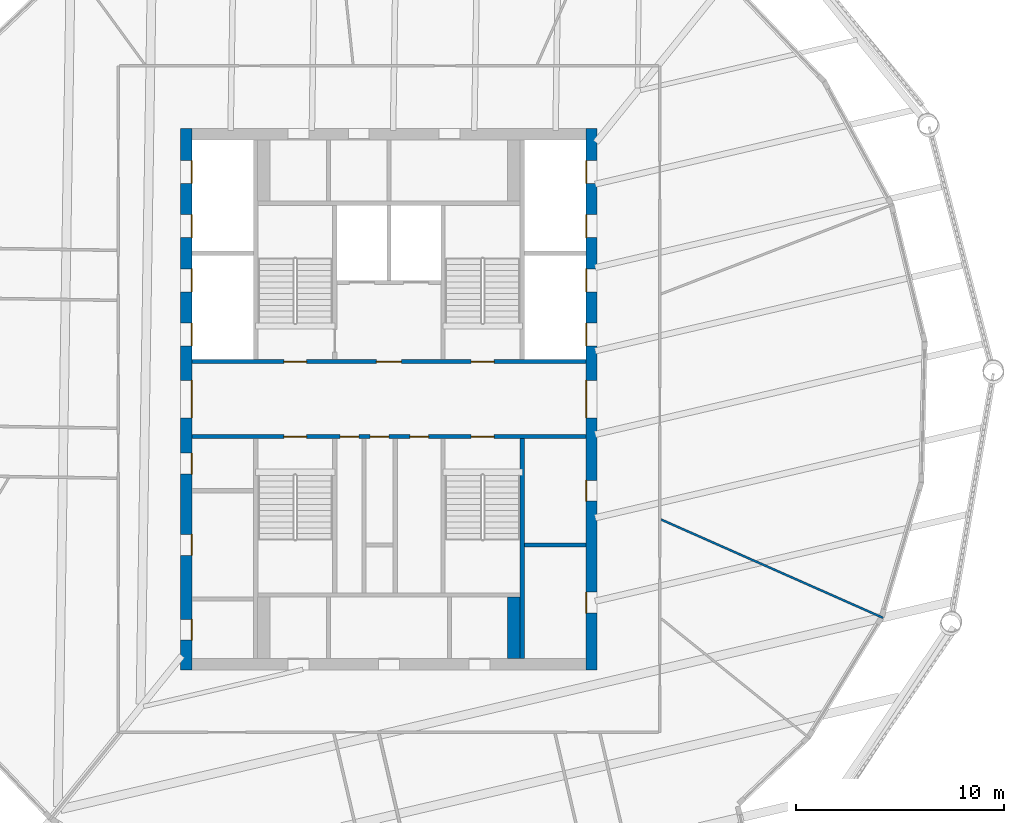
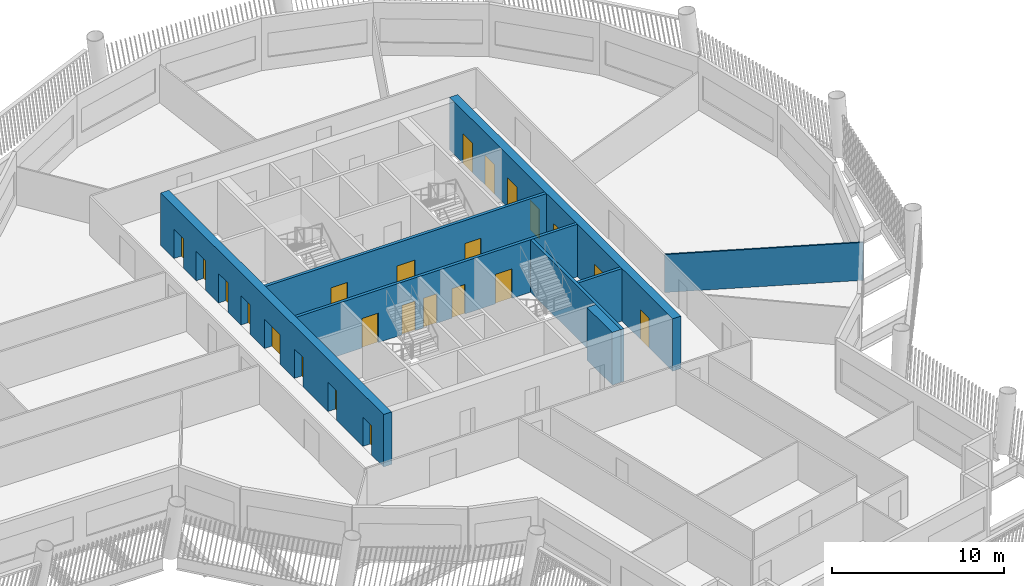
# One storey, part 5 of 15: 23 doors, 8 walls, 23 openings.
"""IFC4 building model written with IfcOpenShell, lengths in metres."""

import ifcopenshell
import ifcopenshell.guid

model = None  # the IFC model being written
_history = None  # IfcOwnerHistory: only IFC2X3 demands one
_inside = {}  # id of a spatial element -> (the spatial element, [elements in it])
_under = {}  # id of a project, library or spatial element -> (it, [spatial elements below it])
_declared = {}  # id of a project -> (the project, [libraries it declares])
_typed = {}  # id of a type object -> (the type object, [elements of that type])
_made_of = {}  # id of a material, layer set ... -> (it, [elements and type objects made of it])


def new_model(schema):
    """Start an empty IFC model of exactly this schema.

    Asked for "IFC4X3", IfcOpenShell would pick the latest addendum, in which some entities
    have other attributes; the version numbers below select the first issue.
    IFC2X3 requires an IfcOwnerHistory on every rooted entity: one is made here for all.
    """
    global model, _history
    if schema == "IFC4X3":
        model = ifcopenshell.file(schema_version=(4, 3, 0, 0))
    else:
        model = ifcopenshell.file(schema=schema)
    _inside.clear()
    _under.clear()
    _declared.clear()
    _typed.clear()
    _made_of.clear()
    _history = None
    if model.schema == "IFC2X3":
        org = make("IfcOrganization", Name="unknown")
        user = make(
            "IfcPersonAndOrganization",
            ThePerson=make("IfcPerson", FamilyName="unknown"),
            TheOrganization=org,
        )
        app = make(
            "IfcApplication",
            ApplicationDeveloper=org,
            Version="unknown",
            ApplicationFullName="unknown",
            ApplicationIdentifier="unknown",
        )
        _history = make(
            "IfcOwnerHistory",
            OwningUser=user,
            OwningApplication=app,
            ChangeAction="ADDED",
            CreationDate=0,
        )
    return model


def make(cls, **values):
    """One entity of the class cls with the attributes given. An attribute that is None is left unset."""
    return model.create_entity(
        cls, **{name: value for name, value in values.items() if value is not None}
    )


def rooted(cls, **values):
    """An entity with a GlobalId (a new one), such as an element, a storey or a relation."""
    return make(cls, GlobalId=ifcopenshell.guid.new(), OwnerHistory=_history, **values)


def si_unit(unit_type, name, prefix=None):
    """IfcSIUnit, for example si_unit("LENGTHUNIT", "METRE", prefix="MILLI")."""
    return make("IfcSIUnit", UnitType=unit_type, Prefix=prefix, Name=name)


def assignment(units):
    """IfcUnitAssignment: the units of a project."""
    return None if units is None else make("IfcUnitAssignment", Units=units)


def point(xyz):
    """IfcCartesianPoint."""
    return None if xyz is None else make("IfcCartesianPoint", Coordinates=xyz)


def direction(xyz):
    """IfcDirection."""
    return None if xyz is None else make("IfcDirection", DirectionRatios=xyz)


def frame(location, z_axis=None, x_axis=None):
    """IfcAxis2Placement3D, a coordinate frame: its origin and axes. An axis left out is left unset."""
    return make(
        "IfcAxis2Placement3D",
        Location=point(location),
        Axis=direction(z_axis),
        RefDirection=direction(x_axis),
    )


def frame_2d(location, x_axis=None):
    """IfcAxis2Placement2D, a coordinate frame in the plane: its origin and x axis."""
    return make(
        "IfcAxis2Placement2D", Location=point(location), RefDirection=direction(x_axis)
    )


def origin():
    """The frame at (0, 0, 0) with its axes left unset."""
    return frame((0.0, 0.0, 0.0))


def place(relative_to, where):
    """IfcLocalPlacement: puts the frame where relative to a parent placement (None: the world)."""
    return make(
        "IfcLocalPlacement", PlacementRelTo=relative_to, RelativePlacement=where
    )


def context(
    kind, dimensions, precision=None, world=None, true_north=None, identifier=None
):
    """IfcGeometricRepresentationContext, for example the 3D "Model" context."""
    return make(
        "IfcGeometricRepresentationContext",
        ContextIdentifier=identifier,
        ContextType=kind,
        CoordinateSpaceDimension=dimensions,
        Precision=precision,
        WorldCoordinateSystem=world,
        TrueNorth=true_north,
    )


def subcontext(parent, identifier, kind, view, scale=None):
    """IfcGeometricRepresentationSubContext, for example "Body" below "Model"."""
    return make(
        "IfcGeometricRepresentationSubContext",
        ContextIdentifier=identifier,
        ContextType=kind,
        ParentContext=parent,
        TargetScale=scale,
        TargetView=view,
    )


def project(units=None, contexts=None):
    """IfcProject with its units and contexts."""
    return rooted(
        "IfcProject",
        Name="project",
        RepresentationContexts=contexts,
        UnitsInContext=assignment(units),
    )


def spatial(cls, under=None, at=None, **own):
    """A site, building, storey or space (cls), placed at a placement, below another one or the project."""
    s = rooted(cls, ObjectPlacement=at, **own)
    if under is not None:
        _under.setdefault(under.id(), (under, []))[1].append(s)
    return s


def profile(cls, at=None, kind="AREA", **sizes):
    """A parametric profile (cls). Its sizes go by their IFC names, for example OverallWidth=200.0."""
    return make(cls, ProfileType=kind, Position=at, **sizes)


def rectangle(**sizes):
    """IfcRectangleProfileDef."""
    return profile("IfcRectangleProfileDef", **sizes)


def extrude(swept, where, along, depth):
    """IfcExtrudedAreaSolid: the profile swept, set in the frame where, extruded along a direction by depth."""
    return make(
        "IfcExtrudedAreaSolid",
        SweptArea=swept,
        Position=where,
        ExtrudedDirection=direction(along),
        Depth=depth,
    )


def shape(context_of_items, identifier, shape_type, items):
    """IfcShapeRepresentation: the items that make up one representation, for example the "Body"."""
    return make(
        "IfcShapeRepresentation",
        ContextOfItems=context_of_items,
        RepresentationIdentifier=identifier,
        RepresentationType=shape_type,
        Items=items,
    )


def material(Name=None, Category=None):
    """IfcMaterial."""
    return make("IfcMaterial", Name=Name, Category=Category)


def layer(
    of_material, thickness, ventilated=None, Name=None, Category=None, Priority=None
):
    """IfcMaterialLayer: one layer of a wall or slab, of a material (None: an air gap)."""
    return make(
        "IfcMaterialLayer",
        Material=of_material,
        LayerThickness=thickness,
        IsVentilated=ventilated,
        Name=Name,
        Category=Category,
        Priority=Priority,
    )


def layer_set(layers, Name=None):
    """IfcMaterialLayerSet."""
    return make("IfcMaterialLayerSet", MaterialLayers=layers, LayerSetName=Name)


def made_of(thing, what):
    """Note that an element or type object is made of a material, layer set ...; save() writes the relation."""
    if what is not None:
        _made_of.setdefault(what.id(), (what, []))[1].append(thing)
    return thing


def type_object(cls, material=None, **own):
    """A type object (cls), such as IfcWallType, which elements share."""
    return made_of(rooted(cls, **own), material)


def element(
    cls,
    number,
    at=None,
    inside=None,
    cuts=None,
    type_object=None,
    material=None,
    context=None,
    identifier="Body",
    shape_type=None,
    held_by="IfcProductDefinitionShape",
    body=None,
    shapes=None,
    **own,
):
    """One element of the class cls, such as IfcWall. Its Tag is "e" and its number.

    at: its placement. inside: the storey or other place that contains it. cuts: it is an
    opening in that element (IfcRelVoidsElement). A single representation is given by context,
    identifier, shape_type and body (its items); several are given by shapes. held_by: the class
    of the entity that holds the representations. save() writes the other relations.
    """
    e = rooted(cls, Tag="e%d" % number, ObjectPlacement=at, **own)
    if body is not None:
        shapes = [shape(context, identifier, shape_type, body)]
    if shapes is not None:
        e.Representation = make(held_by, Representations=shapes)
    if inside is not None:
        _inside.setdefault(inside.id(), (inside, []))[1].append(e)
    if cuts is not None:
        rooted(
            "IfcRelVoidsElement", RelatingBuildingElement=cuts, RelatedOpeningElement=e
        )
    if type_object is not None:
        _typed.setdefault(type_object.id(), (type_object, []))[1].append(e)
    return made_of(e, material)


def fill(opening, filler):
    """IfcRelFillsElement: the door or window that sits in an opening."""
    return rooted(
        "IfcRelFillsElement",
        RelatingOpeningElement=opening,
        RelatedBuildingElement=filler,
    )


def aggregate(whole, parts):
    """IfcRelAggregates: a whole, such as a stair, and the parts it consists of."""
    return rooted("IfcRelAggregates", RelatingObject=whole, RelatedObjects=parts)


def save(model, path):
    """Write the relations noted so far, then the file.

    IfcRelAggregates (storeys below a building ...), IfcRelContainedInSpatialStructure (elements
    in a storey), IfcRelDefinesByType, IfcRelAssociatesMaterial and IfcRelDeclares: one each for
    every whole, place, type object, material and project.
    """
    for whole, parts in _under.values():
        aggregate(whole, parts)
    for where, things in _inside.values():
        rooted(
            "IfcRelContainedInSpatialStructure",
            RelatedElements=things,
            RelatingStructure=where,
        )
    for kind, things in _typed.values():
        rooted("IfcRelDefinesByType", RelatedObjects=things, RelatingType=kind)
    for what, things in _made_of.values():
        rooted("IfcRelAssociatesMaterial", RelatedObjects=things, RelatingMaterial=what)
    for by, libraries in _declared.values():
        rooted("IfcRelDeclares", RelatingContext=by, RelatedDefinitions=libraries)
    model.write(path)


model = new_model("IFC4")

# Units and contexts
model_context = context("Model", 3, precision=1e-05, world=origin(), true_north=direction((0.0, 1.0)))
body_context = subcontext(model_context, "Body", "Model", "MODEL_VIEW")
ifc_project = project(units=[si_unit("LENGTHUNIT", "METRE"), si_unit("AREAUNIT", "SQUARE_METRE"), si_unit("VOLUMEUNIT", "CUBIC_METRE"), si_unit("PLANEANGLEUNIT", "RADIAN"), si_unit("MASSUNIT", "GRAM", prefix="KILO")], contexts=[model_context])

# Site, building, storey
site_placement = place(None, origin())
site = spatial("IfcSite", under=ifc_project, at=site_placement, CompositionType="ELEMENT")
building_placement = place(site_placement, origin())
building = spatial("IfcBuilding", under=site, at=building_placement, Name="Tarsis Ring Headquarters", CompositionType="ELEMENT")
storey_placement = place(building_placement, frame((0.0, 0.0, 282.5)))
storey = spatial("IfcBuildingStorey", under=building, at=storey_placement, Name="L66", CompositionType="ELEMENT", Elevation=282.5)

# Wall
ifc_material_1 = material(Name="Blockwork", Category="masonry")
ifc_layer_1 = layer(ifc_material_1, 0.199951171875)
ifc_layer_set_1 = layer_set([ifc_layer_1], Name="Core blockwork wall 200")
wall_type_1 = type_object("IfcWallType", Name="Core blockwork wall 200", PredefinedType="PARTITIONING", material=ifc_layer_set_1)
wall_1_placement = place(storey_placement, frame((6.5, -7.0, 0.0), z_axis=(0.0, 0.0, 1.0), x_axis=(1.0, 0.0, 0.0)))
element("IfcWall", 1, at=wall_1_placement, inside=storey, type_object=wall_type_1, Name="Core partition ED2", PredefinedType="PARTITIONING", context=body_context, shape_type="SweptSolid", body=[
    extrude(rectangle(XDim=2.949951171875, YDim=0.199951171875, at=frame_2d((1.47509765625, 0.0))), origin(), (0.0, 0.0, 1.0), 3.739990234375),
])

# Wall, openings, doors
ifc_material_2 = material(Name="Concrete C50/60", Category="concrete")
ifc_layer_2 = layer(ifc_material_2, 0.550048828125)
ifc_layer_set_2 = layer_set([ifc_layer_2], Name="Core wall 550 C50/60")
wall_type_2 = type_object("IfcWallType", Name="Core wall 550 C50/60", PredefinedType="SHEAR", material=ifc_layer_set_2)
wall_2_placement = place(storey_placement, frame((-9.72509765625, -13.0, 0.0), z_axis=(0.0, 0.0, 1.0), x_axis=(0.0, 1.0, 0.0)))
wall_2 = element("IfcWall", 2, at=wall_2_placement, inside=storey, type_object=wall_type_2, Name="Core wall OW", PredefinedType="SHEAR", context=body_context, shape_type="SweptSolid", body=[
    extrude(rectangle(XDim=26.0, YDim=0.550048828125, at=frame_2d((13.0, 0.0))), origin(), (0.0, 0.0, 1.0), 3.739990234375),
])
opening_1_placement = place(wall_2_placement, frame((1.425048828125, 0.0, 0.0)))
opening_1 = element("IfcOpeningElement", 3, at=opening_1_placement, cuts=wall_2, Name="Opening L66-C01", PredefinedType="OPENING", context=body_context, shape_type="SweptSolid", body=[
    extrude(rectangle(XDim=1.0, YDim=2.10009765625, at=frame_2d((0.5, 1.050048828125))), frame((0.0, 0.284912109375, 0.0), z_axis=(0.0, -1.0, 0.0), x_axis=(1.0, 0.0, 0.0)), (0.0, 0.0, 1.0), 0.570068359375),
])
opening_2_placement = place(wall_2_placement, frame((5.5, 0.0, 0.0)))
opening_2 = element("IfcOpeningElement", 4, at=opening_2_placement, cuts=wall_2, Name="Opening L66-C02", PredefinedType="OPENING", context=body_context, shape_type="SweptSolid", body=[
    extrude(rectangle(XDim=1.0, YDim=2.10009765625, at=frame_2d((0.5, 1.050048828125))), frame((0.0, 0.284912109375, 0.0), z_axis=(0.0, -1.0, 0.0), x_axis=(1.0, 0.0, 0.0)), (0.0, 0.0, 1.0), 0.570068359375),
])
opening_3_placement = place(wall_2_placement, frame((9.39990234375, 0.0, 0.0)))
opening_3 = element("IfcOpeningElement", 5, at=opening_3_placement, cuts=wall_2, Name="Opening L66-C03", PredefinedType="OPENING", context=body_context, shape_type="SweptSolid", body=[
    extrude(rectangle(XDim=1.0, YDim=2.10009765625, at=frame_2d((0.5, 1.050048828125))), frame((0.0, 0.284912109375, 0.0), z_axis=(0.0, -1.0, 0.0), x_axis=(1.0, 0.0, 0.0)), (0.0, 0.0, 1.0), 0.570068359375),
])
opening_4_placement = place(wall_2_placement, frame((12.10009765625, 0.0, 0.0)))
opening_4 = element("IfcOpeningElement", 6, at=opening_4_placement, cuts=wall_2, Name="Opening L66-C04", PredefinedType="OPENING", context=body_context, shape_type="SweptSolid", body=[
    extrude(rectangle(XDim=1.800048828125, YDim=2.10009765625, at=frame_2d((0.89990234375, 1.050048828125))), frame((0.0, 0.284912109375, 0.0), z_axis=(0.0, -1.0, 0.0), x_axis=(1.0, 0.0, 0.0)), (0.0, 0.0, 1.0), 0.570068359375),
])
opening_5_placement = place(wall_2_placement, frame((15.550048828125, 0.0, 0.0)))
opening_5 = element("IfcOpeningElement", 7, at=opening_5_placement, cuts=wall_2, Name="Opening LD-HR1", PredefinedType="OPENING", context=body_context, shape_type="SweptSolid", body=[
    extrude(rectangle(XDim=1.10009765625, YDim=2.10009765625, at=frame_2d((0.550048828125, 1.050048828125))), frame((0.0, 0.284912109375, 0.0), z_axis=(0.0, -1.0, 0.0), x_axis=(1.0, 0.0, 0.0)), (0.0, 0.0, 1.0), 0.570068359375),
])
opening_6_placement = place(wall_2_placement, frame((18.14990234375, 0.0, 0.0)))
opening_6 = element("IfcOpeningElement", 8, at=opening_6_placement, cuts=wall_2, Name="Opening LD-HR2", PredefinedType="OPENING", context=body_context, shape_type="SweptSolid", body=[
    extrude(rectangle(XDim=1.10009765625, YDim=2.10009765625, at=frame_2d((0.550048828125, 1.050048828125))), frame((0.0, 0.284912109375, 0.0), z_axis=(0.0, -1.0, 0.0), x_axis=(1.0, 0.0, 0.0)), (0.0, 0.0, 1.0), 0.570068359375),
])
opening_7_placement = place(wall_2_placement, frame((20.75, 0.0, 0.0)))
opening_7 = element("IfcOpeningElement", 9, at=opening_7_placement, cuts=wall_2, Name="Opening LD-HR3", PredefinedType="OPENING", context=body_context, shape_type="SweptSolid", body=[
    extrude(rectangle(XDim=1.10009765625, YDim=2.10009765625, at=frame_2d((0.550048828125, 1.050048828125))), frame((0.0, 0.284912109375, 0.0), z_axis=(0.0, -1.0, 0.0), x_axis=(1.0, 0.0, 0.0)), (0.0, 0.0, 1.0), 0.570068359375),
])
opening_8_placement = place(wall_2_placement, frame((23.35009765625, 0.0, 0.0)))
opening_8 = element("IfcOpeningElement", 10, at=opening_8_placement, cuts=wall_2, Name="Opening LD-HR4", PredefinedType="OPENING", context=body_context, shape_type="SweptSolid", body=[
    extrude(rectangle(XDim=1.10009765625, YDim=2.10009765625, at=frame_2d((0.550048828125, 1.050048828125))), frame((0.0, 0.284912109375, 0.0), z_axis=(0.0, -1.0, 0.0), x_axis=(1.0, 0.0, 0.0)), (0.0, 0.0, 1.0), 0.570068359375),
])
ifc_material_3 = material(Name="Steel S355", Category="steel")
door_type_1 = type_object("IfcDoorType", Name="Core entry door 1800x2100", OperationType="DOUBLE_DOOR_SINGLE_SWING", PredefinedType="DOOR", material=ifc_material_3)
door_1_placement = place(opening_4_placement, origin())
door_1 = element("IfcDoor", 11, at=door_1_placement, inside=storey, type_object=door_type_1, Name="Core entry door L66", OperationType="DOUBLE_DOOR_SINGLE_SWING", OverallHeight=2.10009765625, OverallWidth=1.800048828125, PredefinedType="DOOR", context=body_context, shape_type="SweptSolid", body=[
    extrude(rectangle(XDim=1.800048828125, YDim=2.10009765625, at=frame_2d((0.89990234375, 1.050048828125))), frame((0.0, -0.22509765625, 0.0), z_axis=(0.0, -1.0, 0.0), x_axis=(1.0, 0.0, 0.0)), (0.0, 0.0, 1.0), 0.050048828125),
])
fill(opening_4, door_1)
door_type_2 = type_object("IfcDoorType", Name="Core room door 1000x2100", OperationType="SINGLE_SWING_LEFT", PredefinedType="DOOR", material=ifc_material_3)
door_2_placement = place(opening_1_placement, origin())
door_2 = element("IfcDoor", 12, at=door_2_placement, inside=storey, type_object=door_type_2, Name="Core room door L66", OperationType="SINGLE_SWING_LEFT", OverallHeight=2.10009765625, OverallWidth=1.0, PredefinedType="DOOR", context=body_context, shape_type="SweptSolid", body=[
    extrude(rectangle(XDim=1.0, YDim=2.10009765625, at=frame_2d((0.5, 1.050048828125))), frame((0.0, -0.22509765625, 0.0), z_axis=(0.0, -1.0, 0.0), x_axis=(1.0, 0.0, 0.0)), (0.0, 0.0, 1.0), 0.050048828125),
])
fill(opening_1, door_2)
door_3_placement = place(opening_2_placement, origin())
door_3 = element("IfcDoor", 13, at=door_3_placement, inside=storey, type_object=door_type_2, Name="Core room door L66", OperationType="SINGLE_SWING_LEFT", OverallHeight=2.10009765625, OverallWidth=1.0, PredefinedType="DOOR", context=body_context, shape_type="SweptSolid", body=[
    extrude(rectangle(XDim=1.0, YDim=2.10009765625, at=frame_2d((0.5, 1.050048828125))), frame((0.0, -0.22509765625, 0.0), z_axis=(0.0, -1.0, 0.0), x_axis=(1.0, 0.0, 0.0)), (0.0, 0.0, 1.0), 0.050048828125),
])
fill(opening_2, door_3)
door_4_placement = place(opening_3_placement, origin())
door_4 = element("IfcDoor", 14, at=door_4_placement, inside=storey, type_object=door_type_2, Name="Core room door L66", OperationType="SINGLE_SWING_LEFT", OverallHeight=2.10009765625, OverallWidth=1.0, PredefinedType="DOOR", context=body_context, shape_type="SweptSolid", body=[
    extrude(rectangle(XDim=1.0, YDim=2.10009765625, at=frame_2d((0.5, 1.050048828125))), frame((0.0, -0.22509765625, 0.0), z_axis=(0.0, -1.0, 0.0), x_axis=(1.0, 0.0, 0.0)), (0.0, 0.0, 1.0), 0.050048828125),
])
fill(opening_3, door_4)
door_type_3 = type_object("IfcDoorType", Name="Landing door 1100x2100", OperationType="SLIDING_TO_LEFT", PredefinedType="DOOR", material=ifc_material_3)
door_5_placement = place(opening_5_placement, origin())
door_5 = element("IfcDoor", 15, at=door_5_placement, inside=storey, type_object=door_type_3, Name="Landing door HR1 L66", OperationType="SLIDING_TO_LEFT", OverallHeight=2.10009765625, OverallWidth=1.10009765625, PredefinedType="DOOR", context=body_context, shape_type="SweptSolid", body=[
    extrude(rectangle(XDim=1.10009765625, YDim=2.10009765625, at=frame_2d((0.550048828125, 1.050048828125))), frame((0.0, -0.22509765625, 0.0), z_axis=(0.0, -1.0, 0.0), x_axis=(1.0, 0.0, 0.0)), (0.0, 0.0, 1.0), 0.050048828125),
])
fill(opening_5, door_5)
door_6_placement = place(opening_6_placement, origin())
door_6 = element("IfcDoor", 16, at=door_6_placement, inside=storey, type_object=door_type_3, Name="Landing door HR2 L66", OperationType="SLIDING_TO_LEFT", OverallHeight=2.10009765625, OverallWidth=1.10009765625, PredefinedType="DOOR", context=body_context, shape_type="SweptSolid", body=[
    extrude(rectangle(XDim=1.10009765625, YDim=2.10009765625, at=frame_2d((0.550048828125, 1.050048828125))), frame((0.0, -0.22509765625, 0.0), z_axis=(0.0, -1.0, 0.0), x_axis=(1.0, 0.0, 0.0)), (0.0, 0.0, 1.0), 0.050048828125),
])
fill(opening_6, door_6)
door_7_placement = place(opening_7_placement, origin())
door_7 = element("IfcDoor", 17, at=door_7_placement, inside=storey, type_object=door_type_3, Name="Landing door HR3 L66", OperationType="SLIDING_TO_LEFT", OverallHeight=2.10009765625, OverallWidth=1.10009765625, PredefinedType="DOOR", context=body_context, shape_type="SweptSolid", body=[
    extrude(rectangle(XDim=1.10009765625, YDim=2.10009765625, at=frame_2d((0.550048828125, 1.050048828125))), frame((0.0, -0.22509765625, 0.0), z_axis=(0.0, -1.0, 0.0), x_axis=(1.0, 0.0, 0.0)), (0.0, 0.0, 1.0), 0.050048828125),
])
fill(opening_7, door_7)
door_8_placement = place(opening_8_placement, origin())
door_8 = element("IfcDoor", 18, at=door_8_placement, inside=storey, type_object=door_type_3, Name="Landing door HR4 L66", OperationType="SLIDING_TO_LEFT", OverallHeight=2.10009765625, OverallWidth=1.10009765625, PredefinedType="DOOR", context=body_context, shape_type="SweptSolid", body=[
    extrude(rectangle(XDim=1.10009765625, YDim=2.10009765625, at=frame_2d((0.550048828125, 1.050048828125))), frame((0.0, -0.22509765625, 0.0), z_axis=(0.0, -1.0, 0.0), x_axis=(1.0, 0.0, 0.0)), (0.0, 0.0, 1.0), 0.050048828125),
])
fill(opening_8, door_8)

wall_3_placement = place(storey_placement, frame((9.72509765625, -13.0, 0.0), z_axis=(0.0, 0.0, 1.0), x_axis=(0.0, 1.0, 0.0)))
wall_3 = element("IfcWall", 19, at=wall_3_placement, inside=storey, type_object=wall_type_2, Name="Core wall OE", PredefinedType="SHEAR", context=body_context, shape_type="SweptSolid", body=[
    extrude(rectangle(XDim=26.0, YDim=0.550048828125, at=frame_2d((13.0, 0.0))), origin(), (0.0, 0.0, 1.0), 3.739990234375),
])
opening_9_placement = place(wall_3_placement, frame((2.72509765625, 0.0, 0.0)))
opening_9 = element("IfcOpeningElement", 20, at=opening_9_placement, cuts=wall_3, Name="Opening L66-C09", PredefinedType="OPENING", context=body_context, shape_type="SweptSolid", body=[
    extrude(rectangle(XDim=1.0, YDim=2.10009765625, at=frame_2d((0.5, 1.050048828125))), frame((0.0, 0.284912109375, 0.0), z_axis=(0.0, -1.0, 0.0), x_axis=(1.0, 0.0, 0.0)), (0.0, 0.0, 1.0), 0.570068359375),
])
opening_10_placement = place(wall_3_placement, frame((8.10009765625, 0.0, 0.0)))
opening_10 = element("IfcOpeningElement", 21, at=opening_10_placement, cuts=wall_3, Name="Opening L66-C10", PredefinedType="OPENING", context=body_context, shape_type="SweptSolid", body=[
    extrude(rectangle(XDim=1.0, YDim=2.10009765625, at=frame_2d((0.5, 1.050048828125))), frame((0.0, 0.284912109375, 0.0), z_axis=(0.0, -1.0, 0.0), x_axis=(1.0, 0.0, 0.0)), (0.0, 0.0, 1.0), 0.570068359375),
])
opening_11_placement = place(wall_3_placement, frame((12.10009765625, 0.0, 0.0)))
opening_11 = element("IfcOpeningElement", 22, at=opening_11_placement, cuts=wall_3, Name="Opening L66-C11", PredefinedType="OPENING", context=body_context, shape_type="SweptSolid", body=[
    extrude(rectangle(XDim=1.800048828125, YDim=2.10009765625, at=frame_2d((0.89990234375, 1.050048828125))), frame((0.0, 0.284912109375, 0.0), z_axis=(0.0, -1.0, 0.0), x_axis=(1.0, 0.0, 0.0)), (0.0, 0.0, 1.0), 0.570068359375),
])
opening_12_placement = place(wall_3_placement, frame((15.550048828125, 0.0, 0.0)))
opening_12 = element("IfcOpeningElement", 23, at=opening_12_placement, cuts=wall_3, Name="Opening LD-HR5", PredefinedType="OPENING", context=body_context, shape_type="SweptSolid", body=[
    extrude(rectangle(XDim=1.10009765625, YDim=2.10009765625, at=frame_2d((0.550048828125, 1.050048828125))), frame((0.0, 0.284912109375, 0.0), z_axis=(0.0, -1.0, 0.0), x_axis=(1.0, 0.0, 0.0)), (0.0, 0.0, 1.0), 0.570068359375),
])
opening_13_placement = place(wall_3_placement, frame((18.14990234375, 0.0, 0.0)))
opening_13 = element("IfcOpeningElement", 24, at=opening_13_placement, cuts=wall_3, Name="Opening LD-HR6", PredefinedType="OPENING", context=body_context, shape_type="SweptSolid", body=[
    extrude(rectangle(XDim=1.10009765625, YDim=2.10009765625, at=frame_2d((0.550048828125, 1.050048828125))), frame((0.0, 0.284912109375, 0.0), z_axis=(0.0, -1.0, 0.0), x_axis=(1.0, 0.0, 0.0)), (0.0, 0.0, 1.0), 0.570068359375),
])
opening_14_placement = place(wall_3_placement, frame((20.75, 0.0, 0.0)))
opening_14 = element("IfcOpeningElement", 25, at=opening_14_placement, cuts=wall_3, Name="Opening LD-HR7", PredefinedType="OPENING", context=body_context, shape_type="SweptSolid", body=[
    extrude(rectangle(XDim=1.10009765625, YDim=2.10009765625, at=frame_2d((0.550048828125, 1.050048828125))), frame((0.0, 0.284912109375, 0.0), z_axis=(0.0, -1.0, 0.0), x_axis=(1.0, 0.0, 0.0)), (0.0, 0.0, 1.0), 0.570068359375),
])
opening_15_placement = place(wall_3_placement, frame((23.35009765625, 0.0, 0.0)))
opening_15 = element("IfcOpeningElement", 26, at=opening_15_placement, cuts=wall_3, Name="Opening LD-HR8", PredefinedType="OPENING", context=body_context, shape_type="SweptSolid", body=[
    extrude(rectangle(XDim=1.10009765625, YDim=2.10009765625, at=frame_2d((0.550048828125, 1.050048828125))), frame((0.0, 0.284912109375, 0.0), z_axis=(0.0, -1.0, 0.0), x_axis=(1.0, 0.0, 0.0)), (0.0, 0.0, 1.0), 0.570068359375),
])
door_9_placement = place(opening_11_placement, origin())
door_9 = element("IfcDoor", 27, at=door_9_placement, inside=storey, type_object=door_type_1, Name="Core entry door L66", OperationType="DOUBLE_DOOR_SINGLE_SWING", OverallHeight=2.10009765625, OverallWidth=1.800048828125, PredefinedType="DOOR", context=body_context, shape_type="SweptSolid", body=[
    extrude(rectangle(XDim=1.800048828125, YDim=2.10009765625, at=frame_2d((0.89990234375, 1.050048828125))), frame((0.0, 0.27490234375, 0.0), z_axis=(0.0, -1.0, 0.0), x_axis=(1.0, 0.0, 0.0)), (0.0, 0.0, 1.0), 0.050048828125),
])
fill(opening_11, door_9)
door_10_placement = place(opening_9_placement, origin())
door_10 = element("IfcDoor", 28, at=door_10_placement, inside=storey, type_object=door_type_2, Name="Core room door L66", OperationType="SINGLE_SWING_LEFT", OverallHeight=2.10009765625, OverallWidth=1.0, PredefinedType="DOOR", context=body_context, shape_type="SweptSolid", body=[
    extrude(rectangle(XDim=1.0, YDim=2.10009765625, at=frame_2d((0.5, 1.050048828125))), frame((0.0, 0.27490234375, 0.0), z_axis=(0.0, -1.0, 0.0), x_axis=(1.0, 0.0, 0.0)), (0.0, 0.0, 1.0), 0.050048828125),
])
fill(opening_9, door_10)
door_11_placement = place(opening_10_placement, origin())
door_11 = element("IfcDoor", 29, at=door_11_placement, inside=storey, type_object=door_type_2, Name="Core room door L66", OperationType="SINGLE_SWING_LEFT", OverallHeight=2.10009765625, OverallWidth=1.0, PredefinedType="DOOR", context=body_context, shape_type="SweptSolid", body=[
    extrude(rectangle(XDim=1.0, YDim=2.10009765625, at=frame_2d((0.5, 1.050048828125))), frame((0.0, 0.27490234375, 0.0), z_axis=(0.0, -1.0, 0.0), x_axis=(1.0, 0.0, 0.0)), (0.0, 0.0, 1.0), 0.050048828125),
])
fill(opening_10, door_11)
door_12_placement = place(opening_12_placement, origin())
door_12 = element("IfcDoor", 30, at=door_12_placement, inside=storey, type_object=door_type_3, Name="Landing door HR5 L66", OperationType="SLIDING_TO_LEFT", OverallHeight=2.10009765625, OverallWidth=1.10009765625, PredefinedType="DOOR", context=body_context, shape_type="SweptSolid", body=[
    extrude(rectangle(XDim=1.10009765625, YDim=2.10009765625, at=frame_2d((0.550048828125, 1.050048828125))), frame((0.0, 0.27490234375, 0.0), z_axis=(0.0, -1.0, 0.0), x_axis=(1.0, 0.0, 0.0)), (0.0, 0.0, 1.0), 0.050048828125),
])
fill(opening_12, door_12)
door_13_placement = place(opening_13_placement, origin())
door_13 = element("IfcDoor", 31, at=door_13_placement, inside=storey, type_object=door_type_3, Name="Landing door HR6 L66", OperationType="SLIDING_TO_LEFT", OverallHeight=2.10009765625, OverallWidth=1.10009765625, PredefinedType="DOOR", context=body_context, shape_type="SweptSolid", body=[
    extrude(rectangle(XDim=1.10009765625, YDim=2.10009765625, at=frame_2d((0.550048828125, 1.050048828125))), frame((0.0, 0.27490234375, 0.0), z_axis=(0.0, -1.0, 0.0), x_axis=(1.0, 0.0, 0.0)), (0.0, 0.0, 1.0), 0.050048828125),
])
fill(opening_13, door_13)
door_14_placement = place(opening_14_placement, origin())
door_14 = element("IfcDoor", 32, at=door_14_placement, inside=storey, type_object=door_type_3, Name="Landing door HR7 L66", OperationType="SLIDING_TO_LEFT", OverallHeight=2.10009765625, OverallWidth=1.10009765625, PredefinedType="DOOR", context=body_context, shape_type="SweptSolid", body=[
    extrude(rectangle(XDim=1.10009765625, YDim=2.10009765625, at=frame_2d((0.550048828125, 1.050048828125))), frame((0.0, 0.27490234375, 0.0), z_axis=(0.0, -1.0, 0.0), x_axis=(1.0, 0.0, 0.0)), (0.0, 0.0, 1.0), 0.050048828125),
])
fill(opening_14, door_14)
door_15_placement = place(opening_15_placement, origin())
door_15 = element("IfcDoor", 33, at=door_15_placement, inside=storey, type_object=door_type_3, Name="Landing door HR8 L66", OperationType="SLIDING_TO_LEFT", OverallHeight=2.10009765625, OverallWidth=1.10009765625, PredefinedType="DOOR", context=body_context, shape_type="SweptSolid", body=[
    extrude(rectangle(XDim=1.10009765625, YDim=2.10009765625, at=frame_2d((0.550048828125, 1.050048828125))), frame((0.0, 0.27490234375, 0.0), z_axis=(0.0, -1.0, 0.0), x_axis=(1.0, 0.0, 0.0)), (0.0, 0.0, 1.0), 0.050048828125),
])
fill(opening_15, door_15)

# Walls
ifc_material_4 = material(Name="Gypsum board on steel studs", Category="steel")
ifc_layer_3 = layer(ifc_material_4, 0.10009765625)
ifc_layer_set_3 = layer_set([ifc_layer_3], Name="FL partition 100 unrated")
wall_type_3 = type_object("IfcWallType", Name="FL partition 100 unrated", PredefinedType="PARTITIONING", material=ifc_layer_set_3)
wall_4_placement = place(storey_placement, frame((13.0732421875, -5.787841796875, 0.0), z_axis=(0.0, 0.0, 1.0), x_axis=(0.914392166913, -0.40482955066, 0.0)))
element("IfcWall", 34, at=wall_4_placement, inside=storey, type_object=wall_type_3, Name="Partition PW3", PredefinedType="PARTITIONING", context=body_context, shape_type="SweptSolid", body=[
    extrude(rectangle(XDim=11.650634765625, YDim=0.10009765625, at=frame_2d((5.8251953125, 0.0))), origin(), (0.0, 0.0, 1.0), 2.699951171875),
])
ifc_material_5 = material(Name="Concrete C32/40", Category="concrete")
ifc_layer_4 = layer(ifc_material_5, 0.60009765625)
ifc_layer_set_4 = layer_set([ifc_layer_4], Name="Shaft end wall 600 C32/40")
wall_type_4 = type_object("IfcWallType", Name="Shaft end wall 600 C32/40", PredefinedType="SOLIDWALL", material=ifc_layer_set_4)
wall_5_placement = place(storey_placement, frame((6.0, -12.449951171875, 0.0), z_axis=(0.0, 0.0, 1.0), x_axis=(0.0, 1.0, 0.0)))
element("IfcWall", 35, at=wall_5_placement, inside=storey, type_object=wall_type_4, Name="Core shaft wall SNE2", PredefinedType="SOLIDWALL", context=body_context, shape_type="SweptSolid", body=[
    extrude(rectangle(XDim=2.949951171875, YDim=0.60009765625, at=frame_2d((1.47509765625, 0.0))), origin(), (0.0, 0.0, 1.0), 3.739990234375),
])

# Wall, openings, doors
ifc_layer_5 = layer(ifc_material_5, 0.199951171875)
ifc_layer_set_5 = layer_set([ifc_layer_5], Name="Shaft wall 200 C32/40")
wall_type_5 = type_object("IfcWallType", Name="Shaft wall 200 C32/40", PredefinedType="SOLIDWALL", material=ifc_layer_set_5)
wall_6_placement = place(storey_placement, frame((-9.449951171875, 1.800048828125, 0.0), z_axis=(0.0, 0.0, 1.0), x_axis=(1.0, 0.0, 0.0)))
wall_6 = element("IfcWall", 36, at=wall_6_placement, inside=storey, type_object=wall_type_5, Name="Core shaft wall CN", PredefinedType="SOLIDWALL", context=body_context, shape_type="SweptSolid", body=[
    extrude(rectangle(XDim=18.89990234375, YDim=0.199951171875, at=frame_2d((9.449951171875, 0.0))), origin(), (0.0, 0.0, 1.0), 3.739990234375),
])
opening_16_placement = place(wall_6_placement, frame((4.39990234375, 0.0, 0.0)))
opening_16 = element("IfcOpeningElement", 37, at=opening_16_placement, cuts=wall_6, Name="Opening L66-C22", PredefinedType="OPENING", context=body_context, shape_type="SweptSolid", body=[
    extrude(rectangle(XDim=1.10009765625, YDim=2.10009765625, at=frame_2d((0.550048828125, 1.050048828125))), frame((0.0, 0.10986328125, 0.0), z_axis=(0.0, -1.0, 0.0), x_axis=(1.0, 0.0, 0.0)), (0.0, 0.0, 1.0), 0.219970703125),
])
opening_17_placement = place(wall_6_placement, frame((8.85009765625, 0.0, 0.0)))
opening_17 = element("IfcOpeningElement", 38, at=opening_17_placement, cuts=wall_6, Name="Opening L66-C23", PredefinedType="OPENING", context=body_context, shape_type="SweptSolid", body=[
    extrude(rectangle(XDim=1.199951171875, YDim=2.10009765625, at=frame_2d((0.60009765625, 1.050048828125))), frame((0.0, 0.10986328125, 0.0), z_axis=(0.0, -1.0, 0.0), x_axis=(1.0, 0.0, 0.0)), (0.0, 0.0, 1.0), 0.219970703125),
])
opening_18_placement = place(wall_6_placement, frame((13.39990234375, 0.0, 0.0)))
opening_18 = element("IfcOpeningElement", 39, at=opening_18_placement, cuts=wall_6, Name="Opening L66-C24", PredefinedType="OPENING", context=body_context, shape_type="SweptSolid", body=[
    extrude(rectangle(XDim=1.10009765625, YDim=2.10009765625, at=frame_2d((0.550048828125, 1.050048828125))), frame((0.0, 0.10986328125, 0.0), z_axis=(0.0, -1.0, 0.0), x_axis=(1.0, 0.0, 0.0)), (0.0, 0.0, 1.0), 0.219970703125),
])
door_type_4 = type_object("IfcDoorType", Name="Firefighting lobby door 1200x2100", OperationType="DOUBLE_DOOR_SINGLE_SWING", PredefinedType="DOOR", material=ifc_material_3)
door_16_placement = place(opening_17_placement, origin())
door_16 = element("IfcDoor", 40, at=door_16_placement, inside=storey, type_object=door_type_4, Name="Firefighting lobby door L66", OperationType="DOUBLE_DOOR_SINGLE_SWING", OverallHeight=2.10009765625, OverallWidth=1.199951171875, PredefinedType="DOOR", context=body_context, shape_type="SweptSolid", body=[
    extrude(rectangle(XDim=1.199951171875, YDim=2.10009765625, at=frame_2d((0.60009765625, 1.050048828125))), frame((0.0, 0.02490234375, 0.0), z_axis=(0.0, -1.0, 0.0), x_axis=(1.0, 0.0, 0.0)), (0.0, 0.0, 1.0), 0.050048828125),
])
fill(opening_17, door_16)
door_type_5 = type_object("IfcDoorType", Name="Stair door 1100x2100", OperationType="SINGLE_SWING_LEFT", PredefinedType="DOOR", material=ifc_material_3)
door_17_placement = place(opening_16_placement, origin())
door_17 = element("IfcDoor", 41, at=door_17_placement, inside=storey, type_object=door_type_5, Name="Stair door L66", OperationType="SINGLE_SWING_LEFT", OverallHeight=2.10009765625, OverallWidth=1.10009765625, PredefinedType="DOOR", context=body_context, shape_type="SweptSolid", body=[
    extrude(rectangle(XDim=1.10009765625, YDim=2.10009765625, at=frame_2d((0.550048828125, 1.050048828125))), frame((0.0, 0.02490234375, 0.0), z_axis=(0.0, -1.0, 0.0), x_axis=(1.0, 0.0, 0.0)), (0.0, 0.0, 1.0), 0.050048828125),
])
fill(opening_16, door_17)
door_18_placement = place(opening_18_placement, origin())
door_18 = element("IfcDoor", 42, at=door_18_placement, inside=storey, type_object=door_type_5, Name="Stair door L66", OperationType="SINGLE_SWING_LEFT", OverallHeight=2.10009765625, OverallWidth=1.10009765625, PredefinedType="DOOR", context=body_context, shape_type="SweptSolid", body=[
    extrude(rectangle(XDim=1.10009765625, YDim=2.10009765625, at=frame_2d((0.550048828125, 1.050048828125))), frame((0.0, 0.02490234375, 0.0), z_axis=(0.0, -1.0, 0.0), x_axis=(1.0, 0.0, 0.0)), (0.0, 0.0, 1.0), 0.050048828125),
])
fill(opening_18, door_18)

wall_7_placement = place(storey_placement, frame((-9.449951171875, -1.800048828125, 0.0), z_axis=(0.0, 0.0, 1.0), x_axis=(1.0, 0.0, 0.0)))
wall_7 = element("IfcWall", 43, at=wall_7_placement, inside=storey, type_object=wall_type_5, Name="Core shaft wall CS", PredefinedType="SOLIDWALL", context=body_context, shape_type="SweptSolid", body=[
    extrude(rectangle(XDim=18.89990234375, YDim=0.199951171875, at=frame_2d((9.449951171875, 0.0))), origin(), (0.0, 0.0, 1.0), 3.739990234375),
])
opening_19_placement = place(wall_7_placement, frame((4.39990234375, 0.0, 0.0)))
opening_19 = element("IfcOpeningElement", 44, at=opening_19_placement, cuts=wall_7, Name="Opening L66-C25", PredefinedType="OPENING", context=body_context, shape_type="SweptSolid", body=[
    extrude(rectangle(XDim=1.10009765625, YDim=2.10009765625, at=frame_2d((0.550048828125, 1.050048828125))), frame((0.0, 0.10986328125, 0.0), z_axis=(0.0, -1.0, 0.0), x_axis=(1.0, 0.0, 0.0)), (0.0, 0.0, 1.0), 0.219970703125),
])
opening_20_placement = place(wall_7_placement, frame((7.10009765625, 0.0, 0.0)))
opening_20 = element("IfcOpeningElement", 45, at=opening_20_placement, cuts=wall_7, Name="Opening L66-C26", PredefinedType="OPENING", context=body_context, shape_type="SweptSolid", body=[
    extrude(rectangle(XDim=0.89990234375, YDim=2.10009765625, at=frame_2d((0.449951171875, 1.050048828125))), frame((0.0, 0.10986328125, 0.0), z_axis=(0.0, -1.0, 0.0), x_axis=(1.0, 0.0, 0.0)), (0.0, 0.0, 1.0), 0.219970703125),
])
opening_21_placement = place(wall_7_placement, frame((8.550048828125, 0.0, 0.0)))
opening_21 = element("IfcOpeningElement", 46, at=opening_21_placement, cuts=wall_7, Name="Opening L66-C27", PredefinedType="OPENING", context=body_context, shape_type="SweptSolid", body=[
    extrude(rectangle(XDim=0.89990234375, YDim=2.10009765625, at=frame_2d((0.449951171875, 1.050048828125))), frame((0.0, 0.10986328125, 0.0), z_axis=(0.0, -1.0, 0.0), x_axis=(1.0, 0.0, 0.0)), (0.0, 0.0, 1.0), 0.219970703125),
])
opening_22_placement = place(wall_7_placement, frame((10.449951171875, 0.0, 0.0)))
opening_22 = element("IfcOpeningElement", 47, at=opening_22_placement, cuts=wall_7, Name="Opening L66-C28", PredefinedType="OPENING", context=body_context, shape_type="SweptSolid", body=[
    extrude(rectangle(XDim=0.89990234375, YDim=2.10009765625, at=frame_2d((0.449951171875, 1.050048828125))), frame((0.0, 0.10986328125, 0.0), z_axis=(0.0, -1.0, 0.0), x_axis=(1.0, 0.0, 0.0)), (0.0, 0.0, 1.0), 0.219970703125),
])
opening_23_placement = place(wall_7_placement, frame((13.39990234375, 0.0, 0.0)))
opening_23 = element("IfcOpeningElement", 48, at=opening_23_placement, cuts=wall_7, Name="Opening L66-C29", PredefinedType="OPENING", context=body_context, shape_type="SweptSolid", body=[
    extrude(rectangle(XDim=1.10009765625, YDim=2.10009765625, at=frame_2d((0.550048828125, 1.050048828125))), frame((0.0, 0.10986328125, 0.0), z_axis=(0.0, -1.0, 0.0), x_axis=(1.0, 0.0, 0.0)), (0.0, 0.0, 1.0), 0.219970703125),
])
door_19_placement = place(opening_19_placement, origin())
door_19 = element("IfcDoor", 49, at=door_19_placement, inside=storey, type_object=door_type_5, Name="Stair door L66", OperationType="SINGLE_SWING_LEFT", OverallHeight=2.10009765625, OverallWidth=1.10009765625, PredefinedType="DOOR", context=body_context, shape_type="SweptSolid", body=[
    extrude(rectangle(XDim=1.10009765625, YDim=2.10009765625, at=frame_2d((0.550048828125, 1.050048828125))), frame((0.0, 0.02490234375, 0.0), z_axis=(0.0, -1.0, 0.0), x_axis=(1.0, 0.0, 0.0)), (0.0, 0.0, 1.0), 0.050048828125),
])
fill(opening_19, door_19)
door_20_placement = place(opening_23_placement, origin())
door_20 = element("IfcDoor", 50, at=door_20_placement, inside=storey, type_object=door_type_5, Name="Stair door L66", OperationType="SINGLE_SWING_LEFT", OverallHeight=2.10009765625, OverallWidth=1.10009765625, PredefinedType="DOOR", context=body_context, shape_type="SweptSolid", body=[
    extrude(rectangle(XDim=1.10009765625, YDim=2.10009765625, at=frame_2d((0.550048828125, 1.050048828125))), frame((0.0, 0.02490234375, 0.0), z_axis=(0.0, -1.0, 0.0), x_axis=(1.0, 0.0, 0.0)), (0.0, 0.0, 1.0), 0.050048828125),
])
fill(opening_23, door_20)
door_type_6 = type_object("IfcDoorType", Name="WC door 900x2100", OperationType="SINGLE_SWING_LEFT", PredefinedType="DOOR", material=ifc_material_3)
door_21_placement = place(opening_20_placement, origin())
door_21 = element("IfcDoor", 51, at=door_21_placement, inside=storey, type_object=door_type_6, Name="WC door L66", OperationType="SINGLE_SWING_LEFT", OverallHeight=2.10009765625, OverallWidth=0.89990234375, PredefinedType="DOOR", context=body_context, shape_type="SweptSolid", body=[
    extrude(rectangle(XDim=0.89990234375, YDim=2.10009765625, at=frame_2d((0.449951171875, 1.050048828125))), frame((0.0, 0.02490234375, 0.0), z_axis=(0.0, -1.0, 0.0), x_axis=(1.0, 0.0, 0.0)), (0.0, 0.0, 1.0), 0.050048828125),
])
fill(opening_20, door_21)
door_22_placement = place(opening_21_placement, origin())
door_22 = element("IfcDoor", 52, at=door_22_placement, inside=storey, type_object=door_type_6, Name="WC door L66", OperationType="SINGLE_SWING_LEFT", OverallHeight=2.10009765625, OverallWidth=0.89990234375, PredefinedType="DOOR", context=body_context, shape_type="SweptSolid", body=[
    extrude(rectangle(XDim=0.89990234375, YDim=2.10009765625, at=frame_2d((0.449951171875, 1.050048828125))), frame((0.0, 0.02490234375, 0.0), z_axis=(0.0, -1.0, 0.0), x_axis=(1.0, 0.0, 0.0)), (0.0, 0.0, 1.0), 0.050048828125),
])
fill(opening_21, door_22)
door_23_placement = place(opening_22_placement, origin())
door_23 = element("IfcDoor", 53, at=door_23_placement, inside=storey, type_object=door_type_6, Name="WC door L66", OperationType="SINGLE_SWING_LEFT", OverallHeight=2.10009765625, OverallWidth=0.89990234375, PredefinedType="DOOR", context=body_context, shape_type="SweptSolid", body=[
    extrude(rectangle(XDim=0.89990234375, YDim=2.10009765625, at=frame_2d((0.449951171875, 1.050048828125))), frame((0.0, 0.02490234375, 0.0), z_axis=(0.0, -1.0, 0.0), x_axis=(1.0, 0.0, 0.0)), (0.0, 0.0, 1.0), 0.050048828125),
])
fill(opening_22, door_23)

# Wall
wall_8_placement = place(storey_placement, frame((6.39990234375, -12.449951171875, 0.0), z_axis=(0.0, 0.0, 1.0), x_axis=(0.0, 1.0, 0.0)))
element("IfcWall", 54, at=wall_8_placement, inside=storey, type_object=wall_type_5, Name="Core shaft wall EB1", PredefinedType="SOLIDWALL", context=body_context, shape_type="SweptSolid", body=[
    extrude(rectangle(XDim=10.550048828125, YDim=0.199951171875, at=frame_2d((5.27490234375, 0.0))), origin(), (0.0, 0.0, 1.0), 3.739990234375),
])

save(model, "model.ifc")
